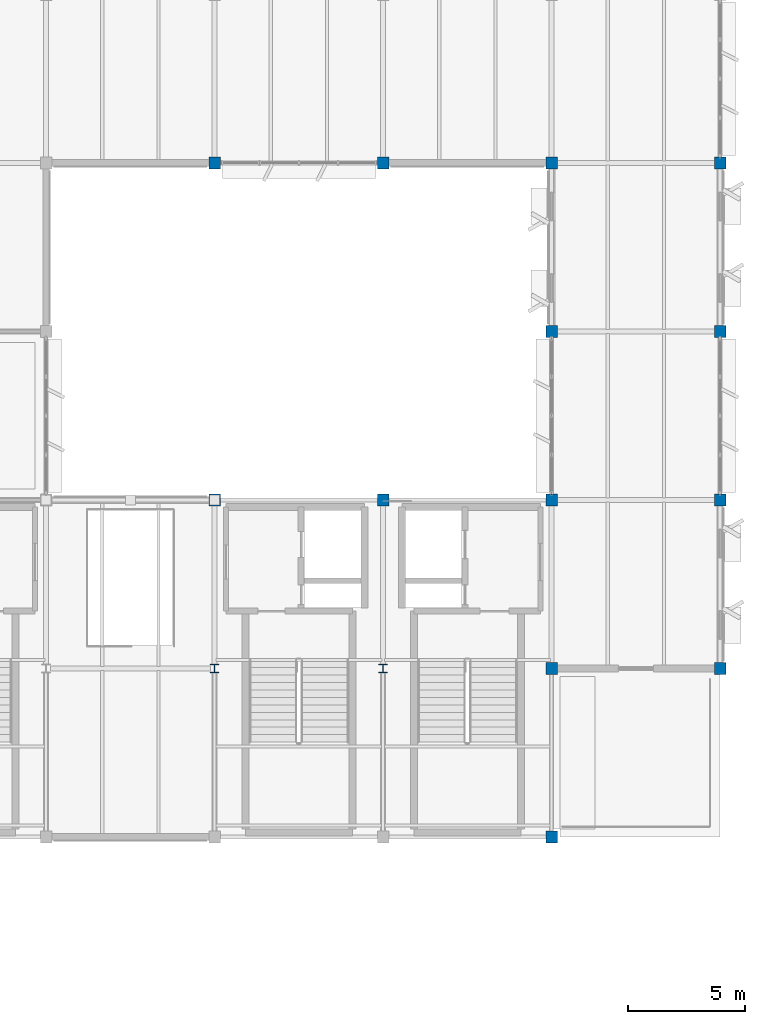
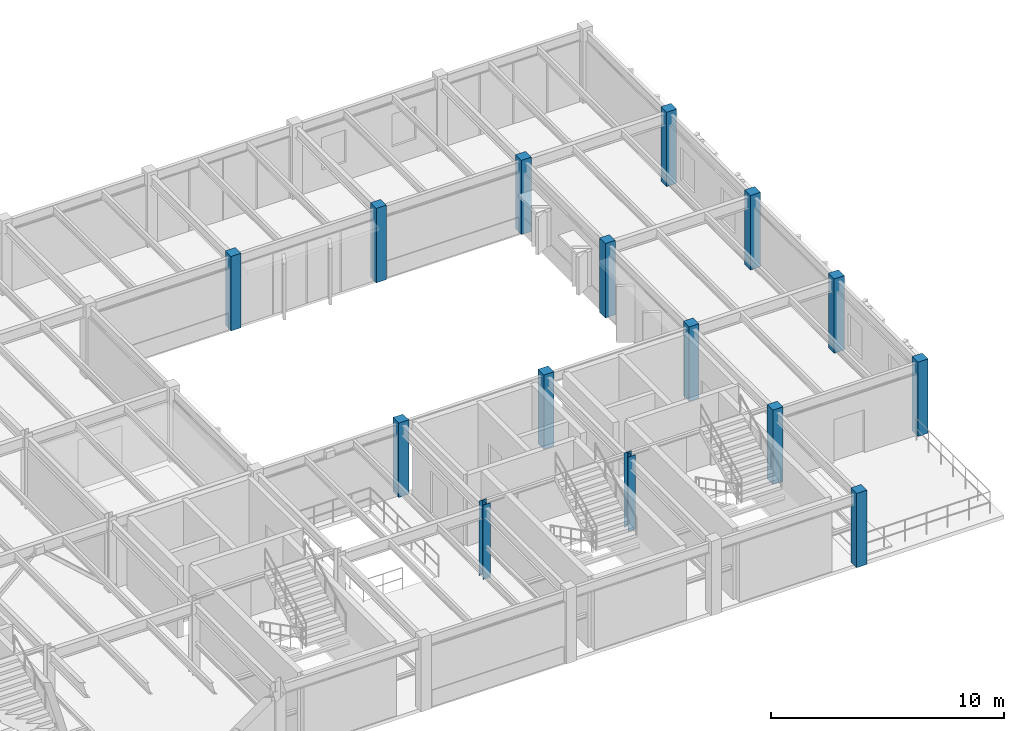
# One storey, part 2 of 23: 15 columns.
"""IFC4 building model written with IfcOpenShell, lengths in metres."""

import ifcopenshell
import ifcopenshell.guid

model = None  # the IFC model being written
_history = None  # IfcOwnerHistory: only IFC2X3 demands one
_inside = {}  # id of a spatial element -> (the spatial element, [elements in it])
_under = {}  # id of a project, library or spatial element -> (it, [spatial elements below it])
_declared = {}  # id of a project -> (the project, [libraries it declares])
_typed = {}  # id of a type object -> (the type object, [elements of that type])
_made_of = {}  # id of a material, layer set ... -> (it, [elements and type objects made of it])


def new_model(schema):
    """Start an empty IFC model of exactly this schema.

    Asked for "IFC4X3", IfcOpenShell would pick the latest addendum, in which some entities
    have other attributes; the version numbers below select the first issue.
    IFC2X3 requires an IfcOwnerHistory on every rooted entity: one is made here for all.
    """
    global model, _history
    if schema == "IFC4X3":
        model = ifcopenshell.file(schema_version=(4, 3, 0, 0))
    else:
        model = ifcopenshell.file(schema=schema)
    _inside.clear()
    _under.clear()
    _declared.clear()
    _typed.clear()
    _made_of.clear()
    _history = None
    if model.schema == "IFC2X3":
        org = make("IfcOrganization", Name="unknown")
        user = make(
            "IfcPersonAndOrganization",
            ThePerson=make("IfcPerson", FamilyName="unknown"),
            TheOrganization=org,
        )
        app = make(
            "IfcApplication",
            ApplicationDeveloper=org,
            Version="unknown",
            ApplicationFullName="unknown",
            ApplicationIdentifier="unknown",
        )
        _history = make(
            "IfcOwnerHistory",
            OwningUser=user,
            OwningApplication=app,
            ChangeAction="ADDED",
            CreationDate=0,
        )
    return model


def make(cls, **values):
    """One entity of the class cls with the attributes given. An attribute that is None is left unset."""
    return model.create_entity(
        cls, **{name: value for name, value in values.items() if value is not None}
    )


def rooted(cls, **values):
    """An entity with a GlobalId (a new one), such as an element, a storey or a relation."""
    return make(cls, GlobalId=ifcopenshell.guid.new(), OwnerHistory=_history, **values)


def si_unit(unit_type, name, prefix=None):
    """IfcSIUnit, for example si_unit("LENGTHUNIT", "METRE", prefix="MILLI")."""
    return make("IfcSIUnit", UnitType=unit_type, Prefix=prefix, Name=name)


def assignment(units):
    """IfcUnitAssignment: the units of a project."""
    return None if units is None else make("IfcUnitAssignment", Units=units)


def point(xyz):
    """IfcCartesianPoint."""
    return None if xyz is None else make("IfcCartesianPoint", Coordinates=xyz)


def direction(xyz):
    """IfcDirection."""
    return None if xyz is None else make("IfcDirection", DirectionRatios=xyz)


def frame(location, z_axis=None, x_axis=None):
    """IfcAxis2Placement3D, a coordinate frame: its origin and axes. An axis left out is left unset."""
    return make(
        "IfcAxis2Placement3D",
        Location=point(location),
        Axis=direction(z_axis),
        RefDirection=direction(x_axis),
    )


def frame_2d(location, x_axis=None):
    """IfcAxis2Placement2D, a coordinate frame in the plane: its origin and x axis."""
    return make(
        "IfcAxis2Placement2D", Location=point(location), RefDirection=direction(x_axis)
    )


def origin():
    """The frame at (0, 0, 0) with its axes left unset."""
    return frame((0.0, 0.0, 0.0))


def origin_2d():
    """The frame at (0, 0) in the plane with its x axis left unset."""
    return frame_2d((0.0, 0.0))


def place(relative_to, where):
    """IfcLocalPlacement: puts the frame where relative to a parent placement (None: the world)."""
    return make(
        "IfcLocalPlacement", PlacementRelTo=relative_to, RelativePlacement=where
    )


def context(
    kind, dimensions, precision=None, world=None, true_north=None, identifier=None
):
    """IfcGeometricRepresentationContext, for example the 3D "Model" context."""
    return make(
        "IfcGeometricRepresentationContext",
        ContextIdentifier=identifier,
        ContextType=kind,
        CoordinateSpaceDimension=dimensions,
        Precision=precision,
        WorldCoordinateSystem=world,
        TrueNorth=true_north,
    )


def subcontext(parent, identifier, kind, view, scale=None):
    """IfcGeometricRepresentationSubContext, for example "Body" below "Model"."""
    return make(
        "IfcGeometricRepresentationSubContext",
        ContextIdentifier=identifier,
        ContextType=kind,
        ParentContext=parent,
        TargetScale=scale,
        TargetView=view,
    )


def project(units=None, contexts=None):
    """IfcProject with its units and contexts."""
    return rooted(
        "IfcProject",
        Name="project",
        RepresentationContexts=contexts,
        UnitsInContext=assignment(units),
    )


def spatial(cls, under=None, at=None, **own):
    """A site, building, storey or space (cls), placed at a placement, below another one or the project."""
    s = rooted(cls, ObjectPlacement=at, **own)
    if under is not None:
        _under.setdefault(under.id(), (under, []))[1].append(s)
    return s


def profile(cls, at=None, kind="AREA", **sizes):
    """A parametric profile (cls). Its sizes go by their IFC names, for example OverallWidth=200.0."""
    return make(cls, ProfileType=kind, Position=at, **sizes)


def rectangle(**sizes):
    """IfcRectangleProfileDef."""
    return profile("IfcRectangleProfileDef", **sizes)


def i_section(**sizes):
    """IfcIShapeProfileDef."""
    return profile("IfcIShapeProfileDef", **sizes)


def extrude(swept, where, along, depth):
    """IfcExtrudedAreaSolid: the profile swept, set in the frame where, extruded along a direction by depth."""
    return make(
        "IfcExtrudedAreaSolid",
        SweptArea=swept,
        Position=where,
        ExtrudedDirection=direction(along),
        Depth=depth,
    )


def shape(context_of_items, identifier, shape_type, items):
    """IfcShapeRepresentation: the items that make up one representation, for example the "Body"."""
    return make(
        "IfcShapeRepresentation",
        ContextOfItems=context_of_items,
        RepresentationIdentifier=identifier,
        RepresentationType=shape_type,
        Items=items,
    )


def material(Name=None, Category=None):
    """IfcMaterial."""
    return make("IfcMaterial", Name=Name, Category=Category)


def material_profile(
    of_material, cross_section, Name=None, Category=None, Priority=None
):
    """IfcMaterialProfile: a cross section and its material."""
    return make(
        "IfcMaterialProfile",
        Name=Name,
        Material=of_material,
        Profile=cross_section,
        Priority=Priority,
        Category=Category,
    )


def profile_set(profiles, Name=None, composite=None):
    """IfcMaterialProfileSet."""
    return make(
        "IfcMaterialProfileSet",
        Name=Name,
        MaterialProfiles=profiles,
        CompositeProfile=composite,
    )


def made_of(thing, what):
    """Note that an element or type object is made of a material, layer set ...; save() writes the relation."""
    if what is not None:
        _made_of.setdefault(what.id(), (what, []))[1].append(thing)
    return thing


def type_object(cls, material=None, **own):
    """A type object (cls), such as IfcWallType, which elements share."""
    return made_of(rooted(cls, **own), material)


def element(
    cls,
    number,
    at=None,
    inside=None,
    cuts=None,
    type_object=None,
    material=None,
    context=None,
    identifier="Body",
    shape_type=None,
    held_by="IfcProductDefinitionShape",
    body=None,
    shapes=None,
    **own,
):
    """One element of the class cls, such as IfcWall. Its Tag is "e" and its number.

    at: its placement. inside: the storey or other place that contains it. cuts: it is an
    opening in that element (IfcRelVoidsElement). A single representation is given by context,
    identifier, shape_type and body (its items); several are given by shapes. held_by: the class
    of the entity that holds the representations. save() writes the other relations.
    """
    e = rooted(cls, Tag="e%d" % number, ObjectPlacement=at, **own)
    if body is not None:
        shapes = [shape(context, identifier, shape_type, body)]
    if shapes is not None:
        e.Representation = make(held_by, Representations=shapes)
    if inside is not None:
        _inside.setdefault(inside.id(), (inside, []))[1].append(e)
    if cuts is not None:
        rooted(
            "IfcRelVoidsElement", RelatingBuildingElement=cuts, RelatedOpeningElement=e
        )
    if type_object is not None:
        _typed.setdefault(type_object.id(), (type_object, []))[1].append(e)
    return made_of(e, material)


def aggregate(whole, parts):
    """IfcRelAggregates: a whole, such as a stair, and the parts it consists of."""
    return rooted("IfcRelAggregates", RelatingObject=whole, RelatedObjects=parts)


def save(model, path):
    """Write the relations noted so far, then the file.

    IfcRelAggregates (storeys below a building ...), IfcRelContainedInSpatialStructure (elements
    in a storey), IfcRelDefinesByType, IfcRelAssociatesMaterial and IfcRelDeclares: one each for
    every whole, place, type object, material and project.
    """
    for whole, parts in _under.values():
        aggregate(whole, parts)
    for where, things in _inside.values():
        rooted(
            "IfcRelContainedInSpatialStructure",
            RelatedElements=things,
            RelatingStructure=where,
        )
    for kind, things in _typed.values():
        rooted("IfcRelDefinesByType", RelatedObjects=things, RelatingType=kind)
    for what, things in _made_of.values():
        rooted("IfcRelAssociatesMaterial", RelatedObjects=things, RelatingMaterial=what)
    for by, libraries in _declared.values():
        rooted("IfcRelDeclares", RelatingContext=by, RelatedDefinitions=libraries)
    model.write(path)


model = new_model("IFC4")

# Units and contexts
model_context = context("Model", 3, precision=1e-05, world=origin(), true_north=direction((0.0, 1.0)))
body_context = subcontext(model_context, "Body", "Model", "MODEL_VIEW")
ifc_project = project(units=[si_unit("LENGTHUNIT", "METRE"), si_unit("AREAUNIT", "SQUARE_METRE"), si_unit("VOLUMEUNIT", "CUBIC_METRE"), si_unit("PLANEANGLEUNIT", "RADIAN"), si_unit("MASSUNIT", "GRAM", prefix="KILO")], contexts=[model_context])

# Site, building, storey
site_placement = place(None, origin())
site = spatial("IfcSite", under=ifc_project, at=site_placement, CompositionType="ELEMENT")
building_placement = place(site_placement, origin())
building = spatial("IfcBuilding", under=site, at=building_placement, Name="Sillqori Civic Hall", CompositionType="ELEMENT")
storey_placement = place(building_placement, frame((0.0, 0.0, 21.89990234375)))
storey = spatial("IfcBuildingStorey", under=building, at=storey_placement, Name="L06", CompositionType="ELEMENT", Elevation=21.89990234375)

# Columns
ifc_material_1 = material(Name="Concrete C35/45 (H35)", Category="concrete")
ifc_material_profile_1 = material_profile(ifc_material_1, rectangle(XDim=0.5, YDim=0.5, at=origin_2d()), Name="RC 500x500")
ifc_profile_set_1 = profile_set([ifc_material_profile_1], Name="Concrete C35/45 (H35)")
column_type_1 = type_object("IfcColumnType", Name="COL-RC500", PredefinedType="COLUMN", material=ifc_profile_set_1)
for number, where, z_axis, x_axis, name in (
    (1, (79.199951171875, 93.60009765625, 0.0), (0.0, 0.0, 1.0), (1.0, 0.0, 0.0), "L06 column 11-13"),
    (2, (79.199951171875, 108.0, 0.0), (0.0, 0.0, 1.0), (1.0, 0.0, 0.0), "L06 column 11-15"),
    (3, (86.39990234375, 93.60009765625, 0.0), (0.0, 0.0, 1.0), (1.0, 0.0, 0.0), "L06 column 12-13"),
    (4, (86.39990234375, 108.0, 0.0), (0.0, 0.0, 1.0), (1.0, 0.0, 0.0), "L06 column 12-15"),
    (5, (93.60009765625, 79.199951171875, 0.0), (0.0, 0.0, 1.0), (1.0, 0.0, 0.0), "L06 column 13-11"),
    (6, (93.60009765625, 86.39990234375, 0.0), (0.0, 0.0, 1.0), (1.0, 0.0, 0.0), "L06 column 13-12"),
    (7, (93.60009765625, 93.60009765625, 0.0), (0.0, 0.0, 1.0), (1.0, 0.0, 0.0), "L06 column 13-13"),
    (8, (93.60009765625, 100.800048828125, 0.0), (0.0, 0.0, 1.0), (1.0, 0.0, 0.0), "L06 column 13-14"),
    (9, (93.60009765625, 108.0, 0.0), (0.0, 0.0, 1.0), (1.0, 0.0, 0.0), "L06 column 13-15"),
    (10, (100.800048828125, 86.39990234375, 0.0), (0.0, 0.0, 1.0), (1.0, 0.0, 0.0), "L06 column 14-12"),
    (11, (100.800048828125, 93.60009765625, 0.0), (0.0, 0.0, 1.0), (1.0, 0.0, 0.0), "L06 column 14-13"),
    (12, (100.800048828125, 100.800048828125, 0.0), (0.0, 0.0, 1.0), (1.0, 0.0, 0.0), "L06 column 14-14"),
    (13, (100.800048828125, 108.0, 0.0), (0.0, 0.0, 1.0), (1.0, 0.0, 0.0), "L06 column 14-15"),
):
    element("IfcColumn", number, at=place(storey_placement, frame(where, z_axis=z_axis, x_axis=x_axis)), inside=storey, type_object=column_type_1, Name=name, PredefinedType="COLUMN", context=body_context, shape_type="SweptSolid", body=[
        extrude(rectangle(XDim=0.5, YDim=0.5, at=origin_2d()), origin(), (0.0, 0.0, 1.0), 3.900146484375),
    ])
ifc_material_2 = material(Name="Steel ASTM A992", Category="steel")
ifc_material_profile_2 = material_profile(ifc_material_2, i_section(OverallWidth=0.37109375, OverallDepth=0.361083984375, WebThickness=0.012451171875, FlangeThickness=0.019775390625, FilletRadius=0.014892578125, at=origin_2d()), Name="W14X99")
ifc_profile_set_2 = profile_set([ifc_material_profile_2], Name="Steel ASTM A992")
column_type_2 = type_object("IfcColumnType", Name="COL-W14X99", PredefinedType="COLUMN", material=ifc_profile_set_2)
for number, where, z_axis, x_axis, name in (
    (14, (79.199951171875, 86.39990234375, 0.0), (0.0, 0.0, 1.0), (1.0, 0.0, 0.0), "L06 column 11-12"),
    (15, (86.39990234375, 86.39990234375, 0.0), (0.0, 0.0, 1.0), (1.0, 0.0, 0.0), "L06 column 12-12"),
):
    element("IfcColumn", number, at=place(storey_placement, frame(where, z_axis=z_axis, x_axis=x_axis)), inside=storey, type_object=column_type_2, Name=name, PredefinedType="COLUMN", context=body_context, shape_type="SweptSolid", body=[
        extrude(i_section(OverallWidth=0.37109375, OverallDepth=0.361083984375, WebThickness=0.012451171875, FlangeThickness=0.019775390625, FilletRadius=0.014892578125, at=origin_2d()), origin(), (0.0, 0.0, 1.0), 3.900146484375),
    ])

save(model, "model.ifc")
